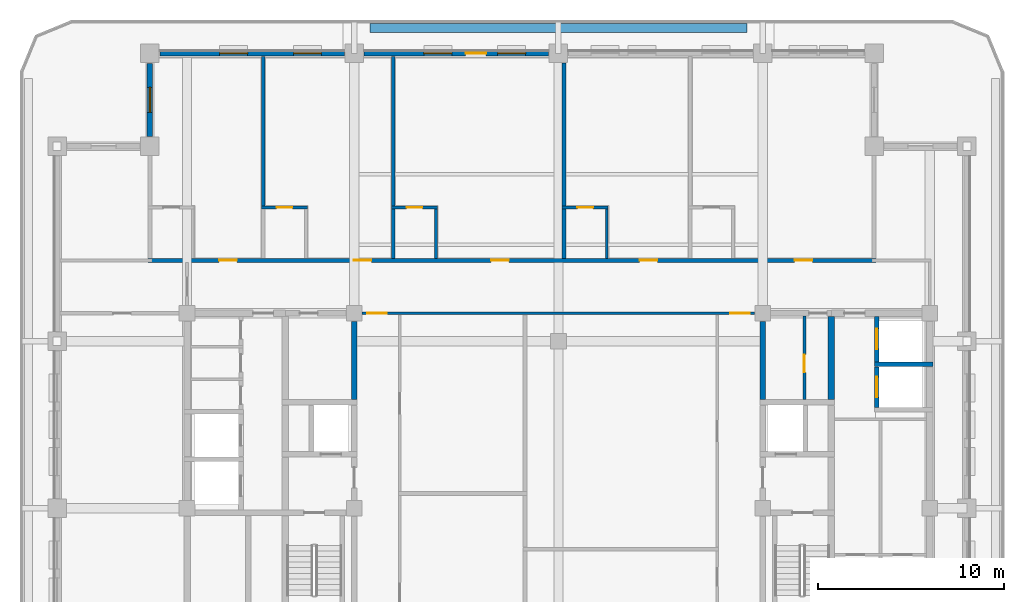
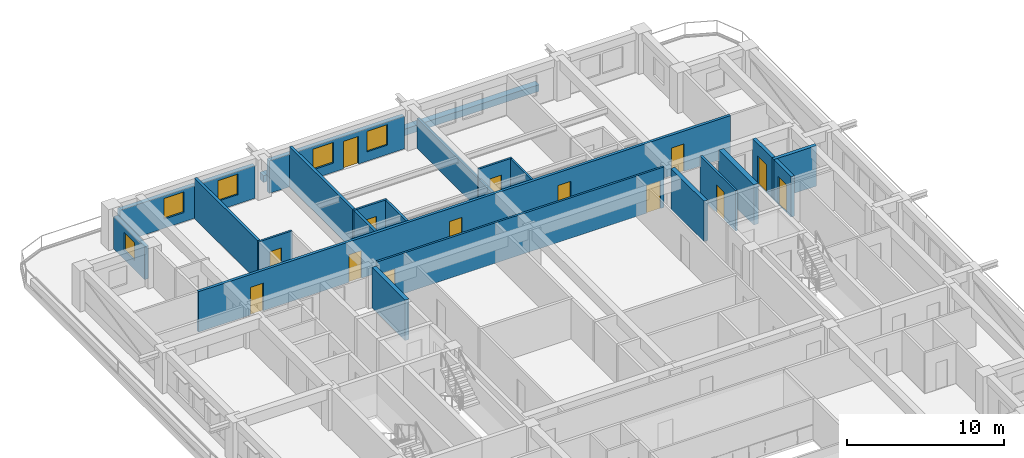
# One storey, part 6 of 14: 23 walls, 14 doors, 5 windows, 19 openings.
"""IFC4 building model written with IfcOpenShell, lengths in metres."""

from ifc_helpers import new_model, si_unit, direction, frame, frame_2d, origin, place, context, subcontext, project, spatial, rectangle, extrude, material, layer, layer_set, type_object, element, fill, save


model = new_model("IFC4")

# Units and contexts
model_context = context("Model", 3, precision=1e-05, world=origin(), true_north=direction((0.0, 1.0)))
body_context = subcontext(model_context, "Body", "Model", "MODEL_VIEW")
ifc_project = project(units=[si_unit("LENGTHUNIT", "METRE"), si_unit("AREAUNIT", "SQUARE_METRE"), si_unit("VOLUMEUNIT", "CUBIC_METRE"), si_unit("PLANEANGLEUNIT", "RADIAN"), si_unit("MASSUNIT", "GRAM", prefix="KILO")], contexts=[model_context])

# Site, building, storey
site_placement = place(None, origin())
site = spatial("IfcSite", under=ifc_project, at=site_placement, CompositionType="ELEMENT")
building_placement = place(site_placement, origin())
building = spatial("IfcBuilding", under=site, at=building_placement, Name="Zulmaris Gate Convention Tower", CompositionType="ELEMENT")
storey_placement = place(building_placement, frame((0.0, 0.0, 215.260009765625)))
storey = spatial("IfcBuildingStorey", under=building, at=storey_placement, Name="L56", CompositionType="ELEMENT", Elevation=215.260009765625)

# Wall
ifc_material_1 = material(Name="Concrete C50/60", Category="concrete")
ifc_layer_1 = layer(ifc_material_1, 0.25, Name="Concrete C50/60")
ifc_layer_set_1 = layer_set([ifc_layer_1], Name="Concrete C50/60")
wall_type_1 = type_object("IfcWallType", Name="CORE-250", PredefinedType="SOLIDWALL", material=ifc_layer_set_1)
wall_1_placement = place(storey_placement, frame((17.02490234375, 7.75, 0.0), z_axis=(0.0, 0.0, 1.0), x_axis=(1.0, 0.0, 0.0)))
element("IfcWall", 1, at=wall_1_placement, inside=storey, type_object=wall_type_1, Name="WL-L56-014", PredefinedType="SOLIDWALL", context=body_context, shape_type="SweptSolid", body=[
    extrude(rectangle(XDim=3.150146484375, YDim=0.25, at=frame_2d((1.5751953125, 0.0))), origin(), (0.0, 0.0, 1.0), 3.14990234375),
])

# Wall, opening, door
wall_2_placement = place(storey_placement, frame((17.14990234375, 5.427001953125, 0.0), z_axis=(0.0, 0.0, 1.0), x_axis=(0.0, 1.0, 0.0)))
wall_2 = element("IfcWall", 2, at=wall_2_placement, inside=storey, type_object=wall_type_1, Name="WL-L56-073", PredefinedType="SOLIDWALL", context=body_context, shape_type="SweptSolid", body=[
    extrude(rectangle(XDim=2.196044921875, YDim=0.25, at=frame_2d((1.09814453125, 0.0))), origin(), (0.0, 0.0, 1.0), 3.14990234375),
])
opening_1_placement = place(wall_2_placement, frame((0.548095703125, 0.0, 0.0)))
opening_1 = element("IfcOpeningElement", 3, at=opening_1_placement, cuts=wall_2, Name="Opening D-06", PredefinedType="OPENING", context=body_context, shape_type="SweptSolid", body=[
    extrude(rectangle(XDim=1.10009765625, YDim=2.199951171875, at=frame_2d((0.550048828125, 1.10009765625))), frame((0.0, 0.135009765625, 0.0), z_axis=(0.0, -1.0, 0.0), x_axis=(1.0, 0.0, 0.0)), (0.0, 0.0, 1.0), 0.27001953125),
])
ifc_material_2 = material(Name="Brushed Stainless Steel", Category="steel")
door_type_1 = type_object("IfcDoorType", Name="LD-1100", OperationType="NOTDEFINED", PredefinedType="DOOR", material=ifc_material_2)
door_1_placement = place(opening_1_placement, origin())
door_1 = element("IfcDoor", 4, at=door_1_placement, inside=storey, type_object=door_type_1, Name="L56 Lift Landing Door HP-01 17", OperationType="SLIDING_TO_RIGHT", OverallHeight=2.199951171875, OverallWidth=1.10009765625, PredefinedType="DOOR", context=body_context, shape_type="SweptSolid", body=[
    extrude(rectangle(XDim=1.10009765625, YDim=2.199951171875, at=frame_2d((0.550048828125, 1.10009765625))), frame((0.0, 0.02490234375, 0.0), z_axis=(0.0, -1.0, 0.0), x_axis=(1.0, 0.0, 0.0)), (0.0, 0.0, 1.0), 0.050048828125),
])
fill(opening_1, door_1)

wall_3_placement = place(storey_placement, frame((17.14990234375, 7.876953125, 0.0), z_axis=(0.0, 0.0, 1.0), x_axis=(0.0, 1.0, 0.0)))
wall_3 = element("IfcWall", 5, at=wall_3_placement, inside=storey, type_object=wall_type_1, Name="WL-L56-074", PredefinedType="SOLIDWALL", context=body_context, shape_type="SweptSolid", body=[
    extrude(rectangle(XDim=2.446044921875, YDim=0.25, at=frame_2d((1.22314453125, 0.0))), origin(), (0.0, 0.0, 1.0), 3.14990234375),
])
opening_2_placement = place(wall_3_placement, frame((0.697998046875, 0.0, 0.0)))
opening_2 = element("IfcOpeningElement", 6, at=opening_2_placement, cuts=wall_3, Name="Opening D-06", PredefinedType="OPENING", context=body_context, shape_type="SweptSolid", body=[
    extrude(rectangle(XDim=1.10009765625, YDim=2.199951171875, at=frame_2d((0.550048828125, 1.10009765625))), frame((0.0, 0.135009765625, 0.0), z_axis=(0.0, -1.0, 0.0), x_axis=(1.0, 0.0, 0.0)), (0.0, 0.0, 1.0), 0.27001953125),
])
door_2_placement = place(opening_2_placement, origin())
door_2 = element("IfcDoor", 7, at=door_2_placement, inside=storey, type_object=door_type_1, Name="L56 Lift Landing Door HP-02 18", OperationType="SLIDING_TO_RIGHT", OverallHeight=2.199951171875, OverallWidth=1.10009765625, PredefinedType="DOOR", context=body_context, shape_type="SweptSolid", body=[
    extrude(rectangle(XDim=1.10009765625, YDim=2.199951171875, at=frame_2d((0.550048828125, 1.10009765625))), frame((0.0, 0.02490234375, 0.0), z_axis=(0.0, -1.0, 0.0), x_axis=(1.0, 0.0, 0.0)), (0.0, 0.0, 1.0), 0.050048828125),
])
fill(opening_2, door_2)

# Walls
ifc_layer_2 = layer(ifc_material_1, 0.300048828125, Name="Concrete C50/60")
ifc_layer_set_2 = layer_set([ifc_layer_2], Name="Concrete C50/60")
wall_type_2 = type_object("IfcWallType", Name="CORE-300", PredefinedType="SHEAR", material=ifc_layer_set_2)
for number, where, z_axis, x_axis, name in (
    (8, (-11.0, 5.85205078125, 0.0), (0.0, 0.0, 1.0), (0.0, 1.0, 0.0), "WL-L56-062"),
    (9, (11.0, 5.85205078125, 0.0), (0.0, 0.0, 1.0), (0.0, 1.0, 0.0), "WL-L56-066"),
):
    element("IfcWall", number, at=place(storey_placement, frame(where, z_axis=z_axis, x_axis=x_axis)), inside=storey, type_object=wall_type_2, Name=name, PredefinedType="SHEAR", context=body_context, shape_type="SweptSolid", body=[
        extrude(rectangle(XDim=4.218994140625, YDim=0.300048828125, at=frame_2d((2.109375, 0.0))), origin(), (0.0, 0.0, 1.0), 3.14990234375),
    ])
ifc_material_3 = material(Name="Concrete C55/67", Category="concrete")
ifc_layer_3 = layer(ifc_material_3, 0.35009765625, Name="Concrete C55/67")
ifc_layer_set_3 = layer_set([ifc_layer_3], Name="Concrete C55/67")
wall_type_3 = type_object("IfcWallType", Name="CORE-350", PredefinedType="SHEAR", material=ifc_layer_set_3)
wall_4_placement = place(storey_placement, frame((14.699951171875, 5.85205078125, 0.0), z_axis=(0.0, 0.0, 1.0), x_axis=(0.0, 1.0, 0.0)))
element("IfcWall", 10, at=wall_4_placement, inside=storey, type_object=wall_type_3, Name="WL-L56-072", PredefinedType="SHEAR", context=body_context, shape_type="SweptSolid", body=[
    extrude(rectangle(XDim=4.470947265625, YDim=0.35009765625, at=frame_2d((2.2353515625, 0.0))), origin(), (0.0, 0.0, 1.0), 3.14990234375),
])

# Wall, openings, doors
ifc_material_4 = material(Name="Gypsum Metal Stud Partition")
ifc_layer_4 = layer(ifc_material_4, 0.14990234375, Name="Gypsum Metal Stud Partition")
ifc_layer_set_4 = layer_set([ifc_layer_4], Name="Gypsum Metal Stud Partition")
wall_type_4 = type_object("IfcWallType", Name="PART-150", PredefinedType="PARTITIONING", material=ifc_layer_set_4)
wall_5_placement = place(storey_placement, frame((-10.569091796875, 10.5, 0.0), z_axis=(0.0, 0.0, 1.0), x_axis=(1.0, 0.0, 0.0)))
wall_5 = element("IfcWall", 11, at=wall_5_placement, inside=storey, type_object=wall_type_4, Name="WL-L56-037", PredefinedType="PARTITIONING", context=body_context, shape_type="SweptSolid", body=[
    extrude(rectangle(XDim=21.13818359375, YDim=0.14990234375, at=frame_2d((10.569091796875, 0.0))), origin(), (0.0, 0.0, 1.0), 3.14990234375),
])
opening_3_placement = place(wall_5_placement, frame((0.263916015625, 0.0, 0.0)))
opening_3 = element("IfcOpeningElement", 12, at=opening_3_placement, cuts=wall_5, Name="Opening D-09", PredefinedType="OPENING", context=body_context, shape_type="SweptSolid", body=[
    extrude(rectangle(XDim=1.050048828125, YDim=2.14990234375, at=frame_2d((0.52490234375, 1.074951171875))), frame((0.0, 0.0849609375, 0.0), z_axis=(0.0, -1.0, 0.0), x_axis=(1.0, 0.0, 0.0)), (0.0, 0.0, 1.0), 0.169921875),
])
opening_4_placement = place(wall_5_placement, frame((19.823974609375, 0.0, 0.0)))
opening_4 = element("IfcOpeningElement", 13, at=opening_4_placement, cuts=wall_5, Name="Opening D-09", PredefinedType="OPENING", context=body_context, shape_type="SweptSolid", body=[
    extrude(rectangle(XDim=1.050048828125, YDim=2.14990234375, at=frame_2d((0.52490234375, 1.074951171875))), frame((0.0, 0.0849609375, 0.0), z_axis=(0.0, -1.0, 0.0), x_axis=(1.0, 0.0, 0.0)), (0.0, 0.0, 1.0), 0.169921875),
])
ifc_material_5 = material(Name="Fire-Rated Steel", Category="steel")
door_type_2 = type_object("IfcDoorType", Name="DR-1050-FD", OperationType="NOTDEFINED", PredefinedType="DOOR", material=ifc_material_5)
door_3_placement = place(opening_3_placement, origin())
door_3 = element("IfcDoor", 14, at=door_3_placement, inside=storey, type_object=door_type_2, Name="L56 NW Hotel Loop Door 24", OperationType="SINGLE_SWING_LEFT", OverallHeight=2.14990234375, OverallWidth=1.050048828125, PredefinedType="DOOR", context=body_context, shape_type="SweptSolid", body=[
    extrude(rectangle(XDim=1.050048828125, YDim=2.14990234375, at=frame_2d((0.52490234375, 1.074951171875))), frame((0.0, 0.02490234375, 0.0), z_axis=(0.0, -1.0, 0.0), x_axis=(1.0, 0.0, 0.0)), (0.0, 0.0, 1.0), 0.050048828125),
])
fill(opening_3, door_3)
door_4_placement = place(opening_4_placement, origin())
door_4 = element("IfcDoor", 15, at=door_4_placement, inside=storey, type_object=door_type_2, Name="L56 NE Hotel Loop Door 26", OperationType="SINGLE_SWING_LEFT", OverallHeight=2.14990234375, OverallWidth=1.050048828125, PredefinedType="DOOR", context=body_context, shape_type="SweptSolid", body=[
    extrude(rectangle(XDim=1.050048828125, YDim=2.14990234375, at=frame_2d((0.52490234375, 1.074951171875))), frame((0.0, 0.02490234375, 0.0), z_axis=(0.0, -1.0, 0.0), x_axis=(1.0, 0.0, 0.0)), (0.0, 0.0, 1.0), 0.050048828125),
])
fill(opening_4, door_4)

# Wall, opening, door
wall_6_placement = place(storey_placement, frame((-16.0, 16.199951171875, 0.0), z_axis=(0.0, 0.0, 1.0), x_axis=(1.0, 0.0, 0.0)))
wall_6 = element("IfcWall", 16, at=wall_6_placement, inside=storey, type_object=wall_type_4, Name="WL-L56-042", PredefinedType="PARTITIONING", context=body_context, shape_type="SweptSolid", body=[
    extrude(rectangle(XDim=2.47509765625, YDim=0.14990234375, at=frame_2d((1.237548828125, 0.0))), origin(), (0.0, 0.0, 1.0), 3.14990234375),
])
opening_5_placement = place(wall_6_placement, frame((0.824951171875, 0.0, 0.0)))
opening_5 = element("IfcOpeningElement", 17, at=opening_5_placement, cuts=wall_6, Name="Opening D-17", PredefinedType="OPENING", context=body_context, shape_type="SweptSolid", body=[
    extrude(rectangle(XDim=0.85009765625, YDim=2.10009765625, at=frame_2d((0.425048828125, 1.050048828125))), frame((0.0, 0.0849609375, 0.0), z_axis=(0.0, -1.0, 0.0), x_axis=(1.0, 0.0, 0.0)), (0.0, 0.0, 1.0), 0.169921875),
])
ifc_material_6 = material(Name="Moisture-Resistant Hardwood Timber", Category="wood")
door_type_3 = type_object("IfcDoorType", Name="DR-850", OperationType="NOTDEFINED", PredefinedType="DOOR", material=ifc_material_6)
door_5_placement = place(opening_5_placement, origin())
door_5 = element("IfcDoor", 18, at=door_5_placement, inside=storey, type_object=door_type_3, Name="L56 En-Suite Door 31", OperationType="SINGLE_SWING_RIGHT", OverallHeight=2.10009765625, OverallWidth=0.85009765625, PredefinedType="DOOR", context=body_context, shape_type="SweptSolid", body=[
    extrude(rectangle(XDim=0.85009765625, YDim=2.10009765625, at=frame_2d((0.425048828125, 1.050048828125))), frame((0.0, 0.02490234375, 0.0), z_axis=(0.0, -1.0, 0.0), x_axis=(1.0, 0.0, 0.0)), (0.0, 0.0, 1.0), 0.050048828125),
])
fill(opening_5, door_5)

wall_7_placement = place(storey_placement, frame((-9.0, 16.199951171875, 0.0), z_axis=(0.0, 0.0, 1.0), x_axis=(1.0, 0.0, 0.0)))
wall_7 = element("IfcWall", 19, at=wall_7_placement, inside=storey, type_object=wall_type_4, Name="WL-L56-043", PredefinedType="PARTITIONING", context=body_context, shape_type="SweptSolid", body=[
    extrude(rectangle(XDim=2.47509765625, YDim=0.14990234375, at=frame_2d((1.237548828125, 0.0))), origin(), (0.0, 0.0, 1.0), 3.14990234375),
])
opening_6_placement = place(wall_7_placement, frame((0.824951171875, 0.0, 0.0)))
opening_6 = element("IfcOpeningElement", 20, at=opening_6_placement, cuts=wall_7, Name="Opening D-17", PredefinedType="OPENING", context=body_context, shape_type="SweptSolid", body=[
    extrude(rectangle(XDim=0.85009765625, YDim=2.10009765625, at=frame_2d((0.425048828125, 1.050048828125))), frame((0.0, 0.0849609375, 0.0), z_axis=(0.0, -1.0, 0.0), x_axis=(1.0, 0.0, 0.0)), (0.0, 0.0, 1.0), 0.169921875),
])
door_6_placement = place(opening_6_placement, origin())
door_6 = element("IfcDoor", 21, at=door_6_placement, inside=storey, type_object=door_type_3, Name="L56 En-Suite Door 33", OperationType="SINGLE_SWING_RIGHT", OverallHeight=2.10009765625, OverallWidth=0.85009765625, PredefinedType="DOOR", context=body_context, shape_type="SweptSolid", body=[
    extrude(rectangle(XDim=0.85009765625, YDim=2.10009765625, at=frame_2d((0.425048828125, 1.050048828125))), frame((0.0, 0.02490234375, 0.0), z_axis=(0.0, -1.0, 0.0), x_axis=(1.0, 0.0, 0.0)), (0.0, 0.0, 1.0), 0.050048828125),
])
fill(opening_6, door_6)

wall_8_placement = place(storey_placement, frame((0.199951171875, 16.199951171875, 0.0), z_axis=(0.0, 0.0, 1.0), x_axis=(1.0, 0.0, 0.0)))
wall_8 = element("IfcWall", 22, at=wall_8_placement, inside=storey, type_object=wall_type_4, Name="WL-L56-044", PredefinedType="PARTITIONING", context=body_context, shape_type="SweptSolid", body=[
    extrude(rectangle(XDim=2.47509765625, YDim=0.14990234375, at=frame_2d((1.237548828125, 0.0))), origin(), (0.0, 0.0, 1.0), 3.14990234375),
])
opening_7_placement = place(wall_8_placement, frame((0.824951171875, 0.0, 0.0)))
opening_7 = element("IfcOpeningElement", 23, at=opening_7_placement, cuts=wall_8, Name="Opening D-17", PredefinedType="OPENING", context=body_context, shape_type="SweptSolid", body=[
    extrude(rectangle(XDim=0.85009765625, YDim=2.10009765625, at=frame_2d((0.425048828125, 1.050048828125))), frame((0.0, 0.0849609375, 0.0), z_axis=(0.0, -1.0, 0.0), x_axis=(1.0, 0.0, 0.0)), (0.0, 0.0, 1.0), 0.169921875),
])
door_7_placement = place(opening_7_placement, origin())
door_7 = element("IfcDoor", 24, at=door_7_placement, inside=storey, type_object=door_type_3, Name="L56 En-Suite Door 35", OperationType="SINGLE_SWING_RIGHT", OverallHeight=2.10009765625, OverallWidth=0.85009765625, PredefinedType="DOOR", context=body_context, shape_type="SweptSolid", body=[
    extrude(rectangle(XDim=0.85009765625, YDim=2.10009765625, at=frame_2d((0.425048828125, 1.050048828125))), frame((0.0, 0.02490234375, 0.0), z_axis=(0.0, -1.0, 0.0), x_axis=(1.0, 0.0, 0.0)), (0.0, 0.0, 1.0), 0.050048828125),
])
fill(opening_7, door_7)

# Walls
for number, where, z_axis, x_axis, name in (
    (25, (-6.60009765625, 13.452880859375, 0.0), (0.0, 0.0, 1.0), (0.0, 1.0, 0.0), "WL-L56-095"),
    (26, (2.60009765625, 13.452880859375, 0.0), (0.0, 0.0, 1.0), (0.0, 1.0, 0.0), "WL-L56-106"),
):
    element("IfcWall", number, at=place(storey_placement, frame(where, z_axis=z_axis, x_axis=x_axis)), inside=storey, type_object=wall_type_4, Name=name, PredefinedType="PARTITIONING", context=body_context, shape_type="SweptSolid", body=[
        extrude(rectangle(XDim=2.669189453125, YDim=0.14990234375, at=frame_2d((1.33447265625, 0.0))), origin(), (0.0, 0.0, 1.0), 3.14990234375),
    ])

# Wall, opening, door
wall_9_placement = place(storey_placement, frame((13.25, 5.85302734375, 0.0), z_axis=(0.0, 0.0, 1.0), x_axis=(0.0, 1.0, 0.0)))
wall_9 = element("IfcWall", 27, at=wall_9_placement, inside=storey, type_object=wall_type_4, Name="WL-L56-117", PredefinedType="PARTITIONING", context=body_context, shape_type="SweptSolid", body=[
    extrude(rectangle(XDim=4.493896484375, YDim=0.14990234375, at=frame_2d((2.2470703125, 0.0))), origin(), (0.0, 0.0, 1.0), 3.14990234375),
])
opening_8_placement = place(wall_9_placement, frame((1.471923828125, 0.0, 0.0)))
opening_8 = element("IfcOpeningElement", 28, at=opening_8_placement, cuts=wall_9, Name="Opening D-11", PredefinedType="OPENING", context=body_context, shape_type="SweptSolid", body=[
    extrude(rectangle(XDim=0.949951171875, YDim=2.14990234375, at=frame_2d((0.47509765625, 1.074951171875))), frame((0.0, 0.0849609375, 0.0), z_axis=(0.0, -1.0, 0.0), x_axis=(1.0, 0.0, 0.0)), (0.0, 0.0, 1.0), 0.169921875),
])
ifc_material_7 = material(Name="Fire-Rated Timber", Category="wood")
door_type_4 = type_object("IfcDoorType", Name="DR-950-FD", OperationType="NOTDEFINED", PredefinedType="DOOR", material=ifc_material_7)
door_8_placement = place(opening_8_placement, origin())
door_8 = element("IfcDoor", 29, at=door_8_placement, inside=storey, type_object=door_type_4, Name="L56 Core Service Pantry Door 09", OperationType="SINGLE_SWING_RIGHT", OverallHeight=2.14990234375, OverallWidth=0.949951171875, PredefinedType="DOOR", context=body_context, shape_type="SweptSolid", body=[
    extrude(rectangle(XDim=0.949951171875, YDim=2.14990234375, at=frame_2d((0.47509765625, 1.074951171875))), frame((0.0, 0.02490234375, 0.0), z_axis=(0.0, -1.0, 0.0), x_axis=(1.0, 0.0, 0.0)), (0.0, 0.0, 1.0), 0.050048828125),
])
fill(opening_8, door_8)

# Wall, openings, doors
ifc_material_8 = material(Name="Autoclaved Aerated Concrete Block and Plasterboard", Category="concrete")
ifc_layer_5 = layer(ifc_material_8, 0.199951171875, Name="Autoclaved Aerated Concrete Block and Plasterboard")
ifc_layer_set_5 = layer_set([ifc_layer_5], Name="Autoclaved Aerated Concrete Block and Plasterboard")
wall_type_5 = type_object("IfcWallType", Name="PART-200", PredefinedType="PARTITIONING", material=ifc_layer_set_5)
wall_10_placement = place(storey_placement, frame((-22.10009765625, 13.35009765625, 0.0), z_axis=(0.0, 0.0, 1.0), x_axis=(1.0, 0.0, 0.0)))
wall_10 = element("IfcWall", 30, at=wall_10_placement, inside=storey, type_object=wall_type_5, Name="WL-L56-039", PredefinedType="PARTITIONING", context=body_context, shape_type="SweptSolid", body=[
    extrude(rectangle(XDim=39.2001953125, YDim=0.199951171875, at=frame_2d((19.60009765625, 0.0))), origin(), (0.0, 0.0, 1.0), 3.14990234375),
])
opening_9_placement = place(wall_10_placement, frame((3.824951171875, 0.0, 0.0)))
opening_9 = element("IfcOpeningElement", 31, at=opening_9_placement, cuts=wall_10, Name="Opening D-11", PredefinedType="OPENING", context=body_context, shape_type="SweptSolid", body=[
    extrude(rectangle(XDim=0.949951171875, YDim=2.14990234375, at=frame_2d((0.47509765625, 1.074951171875))), frame((0.0, 0.10986328125, 0.0), z_axis=(0.0, -1.0, 0.0), x_axis=(1.0, 0.0, 0.0)), (0.0, 0.0, 1.0), 0.219970703125),
])
opening_10_placement = place(wall_10_placement, frame((11.074951171875, 0.0, 0.0)))
opening_10 = element("IfcOpeningElement", 32, at=opening_10_placement, cuts=wall_10, Name="Opening D-11", PredefinedType="OPENING", context=body_context, shape_type="SweptSolid", body=[
    extrude(rectangle(XDim=0.949951171875, YDim=2.14990234375, at=frame_2d((0.47509765625, 1.074951171875))), frame((0.0, 0.10986328125, 0.0), z_axis=(0.0, -1.0, 0.0), x_axis=(1.0, 0.0, 0.0)), (0.0, 0.0, 1.0), 0.219970703125),
])
opening_11_placement = place(wall_10_placement, frame((18.47509765625, 0.0, 0.0)))
opening_11 = element("IfcOpeningElement", 33, at=opening_11_placement, cuts=wall_10, Name="Opening D-11", PredefinedType="OPENING", context=body_context, shape_type="SweptSolid", body=[
    extrude(rectangle(XDim=0.949951171875, YDim=2.14990234375, at=frame_2d((0.47509765625, 1.074951171875))), frame((0.0, 0.10986328125, 0.0), z_axis=(0.0, -1.0, 0.0), x_axis=(1.0, 0.0, 0.0)), (0.0, 0.0, 1.0), 0.219970703125),
])
opening_12_placement = place(wall_10_placement, frame((26.47509765625, 0.0, 0.0)))
opening_12 = element("IfcOpeningElement", 34, at=opening_12_placement, cuts=wall_10, Name="Opening D-11", PredefinedType="OPENING", context=body_context, shape_type="SweptSolid", body=[
    extrude(rectangle(XDim=0.949951171875, YDim=2.14990234375, at=frame_2d((0.47509765625, 1.074951171875))), frame((0.0, 0.10986328125, 0.0), z_axis=(0.0, -1.0, 0.0), x_axis=(1.0, 0.0, 0.0)), (0.0, 0.0, 1.0), 0.219970703125),
])
opening_13_placement = place(wall_10_placement, frame((34.824951171875, 0.0, 0.0)))
opening_13 = element("IfcOpeningElement", 35, at=opening_13_placement, cuts=wall_10, Name="Opening D-11", PredefinedType="OPENING", context=body_context, shape_type="SweptSolid", body=[
    extrude(rectangle(XDim=0.949951171875, YDim=2.14990234375, at=frame_2d((0.47509765625, 1.074951171875))), frame((0.0, 0.10986328125, 0.0), z_axis=(0.0, -1.0, 0.0), x_axis=(1.0, 0.0, 0.0)), (0.0, 0.0, 1.0), 0.219970703125),
])
door_9_placement = place(opening_9_placement, origin())
door_9 = element("IfcDoor", 36, at=door_9_placement, inside=storey, type_object=door_type_4, Name="L56 Hotel Diplomatic Suite Door 28", OperationType="SINGLE_SWING_LEFT", OverallHeight=2.14990234375, OverallWidth=0.949951171875, PredefinedType="DOOR", context=body_context, shape_type="SweptSolid", body=[
    extrude(rectangle(XDim=0.949951171875, YDim=2.14990234375, at=frame_2d((0.47509765625, 1.074951171875))), frame((0.0, 0.02490234375, 0.0), z_axis=(0.0, -1.0, 0.0), x_axis=(1.0, 0.0, 0.0)), (0.0, 0.0, 1.0), 0.050048828125),
])
fill(opening_9, door_9)
door_10_placement = place(opening_10_placement, origin())
door_10 = element("IfcDoor", 37, at=door_10_placement, inside=storey, type_object=door_type_4, Name="L56 Hotel Diplomatic Suite Door 30", OperationType="SINGLE_SWING_LEFT", OverallHeight=2.14990234375, OverallWidth=0.949951171875, PredefinedType="DOOR", context=body_context, shape_type="SweptSolid", body=[
    extrude(rectangle(XDim=0.949951171875, YDim=2.14990234375, at=frame_2d((0.47509765625, 1.074951171875))), frame((0.0, 0.02490234375, 0.0), z_axis=(0.0, -1.0, 0.0), x_axis=(1.0, 0.0, 0.0)), (0.0, 0.0, 1.0), 0.050048828125),
])
fill(opening_10, door_10)
door_11_placement = place(opening_11_placement, origin())
door_11 = element("IfcDoor", 38, at=door_11_placement, inside=storey, type_object=door_type_4, Name="L56 Hotel Diplomatic Suite Door 32", OperationType="SINGLE_SWING_LEFT", OverallHeight=2.14990234375, OverallWidth=0.949951171875, PredefinedType="DOOR", context=body_context, shape_type="SweptSolid", body=[
    extrude(rectangle(XDim=0.949951171875, YDim=2.14990234375, at=frame_2d((0.47509765625, 1.074951171875))), frame((0.0, 0.02490234375, 0.0), z_axis=(0.0, -1.0, 0.0), x_axis=(1.0, 0.0, 0.0)), (0.0, 0.0, 1.0), 0.050048828125),
])
fill(opening_11, door_11)
door_12_placement = place(opening_12_placement, origin())
door_12 = element("IfcDoor", 39, at=door_12_placement, inside=storey, type_object=door_type_4, Name="L56 Hotel Diplomatic Suite Door 34", OperationType="SINGLE_SWING_LEFT", OverallHeight=2.14990234375, OverallWidth=0.949951171875, PredefinedType="DOOR", context=body_context, shape_type="SweptSolid", body=[
    extrude(rectangle(XDim=0.949951171875, YDim=2.14990234375, at=frame_2d((0.47509765625, 1.074951171875))), frame((0.0, 0.02490234375, 0.0), z_axis=(0.0, -1.0, 0.0), x_axis=(1.0, 0.0, 0.0)), (0.0, 0.0, 1.0), 0.050048828125),
])
fill(opening_12, door_12)
door_13_placement = place(opening_13_placement, origin())
door_13 = element("IfcDoor", 40, at=door_13_placement, inside=storey, type_object=door_type_4, Name="L56 Hotel Diplomatic Suite Door 36", OperationType="SINGLE_SWING_LEFT", OverallHeight=2.14990234375, OverallWidth=0.949951171875, PredefinedType="DOOR", context=body_context, shape_type="SweptSolid", body=[
    extrude(rectangle(XDim=0.949951171875, YDim=2.14990234375, at=frame_2d((0.47509765625, 1.074951171875))), frame((0.0, 0.02490234375, 0.0), z_axis=(0.0, -1.0, 0.0), x_axis=(1.0, 0.0, 0.0)), (0.0, 0.0, 1.0), 0.050048828125),
])
fill(opening_13, door_13)

# Walls
wall_11_placement = place(storey_placement, frame((-15.89990234375, 16.278076171875, 0.0), z_axis=(0.0, 0.0, 1.0), x_axis=(0.0, 1.0, 0.0)))
element("IfcWall", 41, at=wall_11_placement, inside=storey, type_object=wall_type_5, Name="WL-L56-088", PredefinedType="PARTITIONING", context=body_context, shape_type="SweptSolid", body=[
    extrude(rectangle(XDim=8.056884765625, YDim=0.199951171875, at=frame_2d((4.0283203125, 0.0))), origin(), (0.0, 0.0, 1.0), 3.14990234375),
])
wall_12_placement = place(storey_placement, frame((-8.89990234375, 13.452880859375, 0.0), z_axis=(0.0, 0.0, 1.0), x_axis=(0.0, 1.0, 0.0)))
element("IfcWall", 42, at=wall_12_placement, inside=storey, type_object=wall_type_5, Name="WL-L56-090", PredefinedType="PARTITIONING", context=body_context, shape_type="SweptSolid", body=[
    extrude(rectangle(XDim=2.669189453125, YDim=0.199951171875, at=frame_2d((1.33447265625, 0.0))), origin(), (0.0, 0.0, 1.0), 3.14990234375),
])
wall_13_placement = place(storey_placement, frame((-8.89990234375, 16.278076171875, 0.0), z_axis=(0.0, 0.0, 1.0), x_axis=(0.0, 1.0, 0.0)))
element("IfcWall", 43, at=wall_13_placement, inside=storey, type_object=wall_type_5, Name="WL-L56-091", PredefinedType="PARTITIONING", context=body_context, shape_type="SweptSolid", body=[
    extrude(rectangle(XDim=8.056884765625, YDim=0.199951171875, at=frame_2d((4.0283203125, 0.0))), origin(), (0.0, 0.0, 1.0), 3.14990234375),
])
wall_14_placement = place(storey_placement, frame((0.300048828125, 13.452880859375, 0.0), z_axis=(0.0, 0.0, 1.0), x_axis=(0.0, 1.0, 0.0)))
element("IfcWall", 44, at=wall_14_placement, inside=storey, type_object=wall_type_5, Name="WL-L56-104", PredefinedType="PARTITIONING", context=body_context, shape_type="SweptSolid", body=[
    extrude(rectangle(XDim=2.669189453125, YDim=0.199951171875, at=frame_2d((1.33447265625, 0.0))), origin(), (0.0, 0.0, 1.0), 2.341796875),
])
wall_15_placement = place(storey_placement, frame((0.300048828125, 16.278076171875, 0.0), z_axis=(0.0, 0.0, 1.0), x_axis=(0.0, 1.0, 0.0)))
element("IfcWall", 45, at=wall_15_placement, inside=storey, type_object=wall_type_5, Name="WL-L56-105", PredefinedType="PARTITIONING", context=body_context, shape_type="SweptSolid", body=[
    extrude(rectangle(XDim=7.7158203125, YDim=0.199951171875, at=frame_2d((3.85791015625, 0.0))), origin(), (0.0, 0.0, 1.0), 2.341796875),
])
ifc_material_9 = material(Name="Botanical Green Glazed Precast Concrete C40/50", Category="concrete")
ifc_layer_6 = layer(ifc_material_9, 0.419921875, Name="Botanical Green Glazed Precast Concrete C40/50")
ifc_layer_set_6 = layer_set([ifc_layer_6], Name="Botanical Green Glazed Precast Concrete C40/50")
wall_type_6 = type_object("IfcWallType", Name="PLANTER-CURB-200", PredefinedType="PARAPET", material=ifc_layer_set_6)
wall_16_placement = place(storey_placement, frame((-10.14990234375, 25.8798828125, -0.0400390625), z_axis=(0.0, 0.0, 1.0), x_axis=(1.0, 0.0, 0.0)))
element("IfcWall", 46, at=wall_16_placement, inside=storey, type_object=wall_type_6, Name="L56 Full-Length Balcony Tree Planter Trough", PredefinedType="PARAPET", context=body_context, shape_type="SweptSolid", body=[
    extrude(rectangle(XDim=20.2998046875, YDim=0.47998046875, at=frame_2d((10.14990234375, 0.0))), origin(), (0.0, 0.0, 1.0), 0.52001953125),
])

# Wall, opening, window
ifc_material_10 = material(Name="Precast concrete C40/50", Category="concrete")
ifc_layer_7 = layer(ifc_material_10, 0.300048828125, Name="Precast concrete C40/50")
ifc_layer_set_7 = layer_set([ifc_layer_7], Name="Precast concrete C40/50")
wall_type_7 = type_object("IfcWallType", Name="PRECAST-PIER-300", PredefinedType="STANDARD", material=ifc_layer_set_7)
wall_17_placement = place(storey_placement, frame((-22.0, 23.969970703125, 0.0), z_axis=(0.0, 0.0, 1.0), x_axis=(0.0, -1.0, 0.0)))
wall_17 = element("IfcWall", 47, at=wall_17_placement, inside=storey, type_object=wall_type_7, Name="EW-L56-NOTCH-NW1_0", PredefinedType="STANDARD", context=body_context, shape_type="SweptSolid", body=[
    extrude(rectangle(XDim=3.93994140625, YDim=0.300048828125, at=frame_2d((1.969970703125, 0.0))), origin(), (0.0, 0.0, 1.0), 2.5419921875),
])
opening_14_placement = place(wall_17_placement, frame((1.294921875, 0.0, 0.679931640625)))
opening_14 = element("IfcOpeningElement", 48, at=opening_14_placement, cuts=wall_17, Name="Opening W-10", PredefinedType="OPENING", context=body_context, shape_type="SweptSolid", body=[
    extrude(rectangle(XDim=1.35009765625, YDim=1.419921875, at=frame_2d((0.675048828125, 0.7099609375))), frame((0.0, 0.16015625, 0.0), z_axis=(0.0, -1.0, 0.0), x_axis=(1.0, 0.0, 0.0)), (0.0, 0.0, 1.0), 0.320068359375),
])
ifc_material_11 = material(Name="Low-E Laminated Double Glazing in Aluminium Frame", Category="aluminium")
window_type_1 = type_object("IfcWindowType", Name="WIN-1350x2000", PartitioningType="SINGLE_PANEL", PredefinedType="WINDOW", material=ifc_material_11)
window_1_placement = place(opening_14_placement, origin())
window_1 = element("IfcWindow", 49, at=window_1_placement, inside=storey, type_object=window_type_1, Name="WN-EW-L56-NOTCH-NW1_0", OverallHeight=1.419921875, OverallWidth=1.35009765625, PartitioningType="SINGLE_PANEL", PredefinedType="WINDOW", context=body_context, shape_type="SweptSolid", body=[
    extrude(rectangle(XDim=1.35009765625, YDim=1.419921875, at=frame_2d((0.675048828125, 0.7099609375))), frame((0.0, 0.030029296875, 0.0), z_axis=(0.0, -1.0, 0.0), x_axis=(1.0, 0.0, 0.0)), (0.0, 0.0, 1.0), 0.06005859375),
])
fill(opening_14, window_1)

# Wall, openings, windows
wall_18_placement = place(storey_placement, frame((-11.530029296875, 24.5, 0.0), z_axis=(0.0, 0.0, 1.0), x_axis=(-1.0, 0.0, 0.0)))
wall_18 = element("IfcWall", 50, at=wall_18_placement, inside=storey, type_object=wall_type_7, Name="EW-L56-N-0_0", PredefinedType="STANDARD", context=body_context, shape_type="SweptSolid", body=[
    extrude(rectangle(XDim=9.93994140625, YDim=0.300048828125, at=frame_2d((4.969970703125, 0.0))), origin(), (0.0, 0.0, 1.0), 2.5419921875),
])
opening_15_placement = place(wall_18_placement, frame((1.238037109375, 0.0, 0.719970703125)))
opening_15 = element("IfcOpeningElement", 51, at=opening_15_placement, cuts=wall_18, Name="Opening W-03", PredefinedType="OPENING", context=body_context, shape_type="SweptSolid", body=[
    extrude(rectangle(XDim=1.5, YDim=1.60009765625, at=frame_2d((0.75, 0.800048828125))), frame((0.0, 0.16015625, 0.0), z_axis=(0.0, -1.0, 0.0), x_axis=(1.0, 0.0, 0.0)), (0.0, 0.0, 1.0), 0.320068359375),
])
opening_16_placement = place(wall_18_placement, frame((5.214111328125, 0.0, 0.719970703125)))
opening_16 = element("IfcOpeningElement", 52, at=opening_16_placement, cuts=wall_18, Name="Opening W-03", PredefinedType="OPENING", context=body_context, shape_type="SweptSolid", body=[
    extrude(rectangle(XDim=1.5, YDim=1.60009765625, at=frame_2d((0.75, 0.800048828125))), frame((0.0, 0.16015625, 0.0), z_axis=(0.0, -1.0, 0.0), x_axis=(1.0, 0.0, 0.0)), (0.0, 0.0, 1.0), 0.320068359375),
])
window_type_2 = type_object("IfcWindowType", Name="WIN-1500x2100", PartitioningType="SINGLE_PANEL", PredefinedType="WINDOW", material=ifc_material_11)
window_2_placement = place(opening_15_placement, origin())
window_2 = element("IfcWindow", 53, at=window_2_placement, inside=storey, type_object=window_type_2, Name="WN-EW-L56-N-0_0-1", OverallHeight=1.60009765625, OverallWidth=1.5, PartitioningType="SINGLE_PANEL", PredefinedType="WINDOW", context=body_context, shape_type="SweptSolid", body=[
    extrude(rectangle(XDim=1.5, YDim=1.60009765625, at=frame_2d((0.75, 0.800048828125))), frame((0.0, 0.030029296875, 0.0), z_axis=(0.0, -1.0, 0.0), x_axis=(1.0, 0.0, 0.0)), (0.0, 0.0, 1.0), 0.06005859375),
])
fill(opening_15, window_2)
window_3_placement = place(opening_16_placement, origin())
window_3 = element("IfcWindow", 54, at=window_3_placement, inside=storey, type_object=window_type_2, Name="WN-EW-L56-N-0_0-3", OverallHeight=1.60009765625, OverallWidth=1.5, PartitioningType="SINGLE_PANEL", PredefinedType="WINDOW", context=body_context, shape_type="SweptSolid", body=[
    extrude(rectangle(XDim=1.5, YDim=1.60009765625, at=frame_2d((0.75, 0.800048828125))), frame((0.0, 0.030029296875, 0.0), z_axis=(0.0, -1.0, 0.0), x_axis=(1.0, 0.0, 0.0)), (0.0, 0.0, 1.0), 0.06005859375),
])
fill(opening_16, window_3)

# Wall, openings, door, windows
wall_19_placement = place(storey_placement, frame((-0.530029296875, 24.5, 0.0), z_axis=(0.0, 0.0, 1.0), x_axis=(-1.0, 0.0, 0.0)))
wall_19 = element("IfcWall", 55, at=wall_19_placement, inside=storey, type_object=wall_type_7, Name="EW-L56-N-1_0", PredefinedType="STANDARD", context=body_context, shape_type="SweptSolid", body=[
    extrude(rectangle(XDim=9.93994140625, YDim=0.300048828125, at=frame_2d((4.969970703125, 0.0))), origin(), (0.0, 0.0, 1.0), 2.5419921875),
])
opening_17_placement = place(wall_19_placement, frame((3.364990234375, 0.0, 0.0)))
opening_17 = element("IfcOpeningElement", 56, at=opening_17_placement, cuts=wall_19, Name="Opening D-04", PredefinedType="OPENING", context=body_context, shape_type="SweptSolid", body=[
    extrude(rectangle(XDim=1.10009765625, YDim=2.14990234375, at=frame_2d((0.550048828125, 1.074951171875))), frame((0.0, 0.16015625, 0.0), z_axis=(0.0, -1.0, 0.0), x_axis=(1.0, 0.0, 0.0)), (0.0, 0.0, 1.0), 0.320068359375),
])
opening_18_placement = place(wall_19_placement, frame((1.238037109375, 0.0, 0.719970703125)))
opening_18 = element("IfcOpeningElement", 57, at=opening_18_placement, cuts=wall_19, Name="Opening W-03", PredefinedType="OPENING", context=body_context, shape_type="SweptSolid", body=[
    extrude(rectangle(XDim=1.5, YDim=1.60009765625, at=frame_2d((0.75, 0.800048828125))), frame((0.0, 0.16015625, 0.0), z_axis=(0.0, -1.0, 0.0), x_axis=(1.0, 0.0, 0.0)), (0.0, 0.0, 1.0), 0.320068359375),
])
opening_19_placement = place(wall_19_placement, frame((5.214111328125, 0.0, 0.719970703125)))
opening_19 = element("IfcOpeningElement", 58, at=opening_19_placement, cuts=wall_19, Name="Opening W-03", PredefinedType="OPENING", context=body_context, shape_type="SweptSolid", body=[
    extrude(rectangle(XDim=1.5, YDim=1.60009765625, at=frame_2d((0.75, 0.800048828125))), frame((0.0, 0.16015625, 0.0), z_axis=(0.0, -1.0, 0.0), x_axis=(1.0, 0.0, 0.0)), (0.0, 0.0, 1.0), 0.320068359375),
])
ifc_material_12 = material(Name="Anodised Aluminium and Laminated Glass", Category="aluminium")
door_type_5 = type_object("IfcDoorType", Name="ED-1100", OperationType="SINGLE_SWING_RIGHT", PredefinedType="DOOR", material=ifc_material_12)
door_14_placement = place(opening_17_placement, origin())
door_14 = element("IfcDoor", 59, at=door_14_placement, inside=storey, type_object=door_type_5, Name="L56 N Planted Terrace Door", OperationType="SINGLE_SWING_LEFT", OverallHeight=2.14990234375, OverallWidth=1.10009765625, PredefinedType="DOOR", context=body_context, shape_type="SweptSolid", body=[
    extrude(rectangle(XDim=1.10009765625, YDim=2.14990234375, at=frame_2d((0.550048828125, 1.074951171875))), frame((0.0, 0.02490234375, 0.0), z_axis=(0.0, -1.0, 0.0), x_axis=(1.0, 0.0, 0.0)), (0.0, 0.0, 1.0), 0.050048828125),
])
fill(opening_17, door_14)
window_4_placement = place(opening_18_placement, origin())
window_4 = element("IfcWindow", 60, at=window_4_placement, inside=storey, type_object=window_type_2, Name="WN-EW-L56-N-1_0-1", OverallHeight=1.60009765625, OverallWidth=1.5, PartitioningType="SINGLE_PANEL", PredefinedType="WINDOW", context=body_context, shape_type="SweptSolid", body=[
    extrude(rectangle(XDim=1.5, YDim=1.60009765625, at=frame_2d((0.75, 0.800048828125))), frame((0.0, 0.030029296875, 0.0), z_axis=(0.0, -1.0, 0.0), x_axis=(1.0, 0.0, 0.0)), (0.0, 0.0, 1.0), 0.06005859375),
])
fill(opening_18, window_4)
window_5_placement = place(opening_19_placement, origin())
window_5 = element("IfcWindow", 61, at=window_5_placement, inside=storey, type_object=window_type_2, Name="WN-EW-L56-N-1_0-3", OverallHeight=1.60009765625, OverallWidth=1.5, PartitioningType="SINGLE_PANEL", PredefinedType="WINDOW", context=body_context, shape_type="SweptSolid", body=[
    extrude(rectangle(XDim=1.5, YDim=1.60009765625, at=frame_2d((0.75, 0.800048828125))), frame((0.0, 0.030029296875, 0.0), z_axis=(0.0, -1.0, 0.0), x_axis=(1.0, 0.0, 0.0)), (0.0, 0.0, 1.0), 0.06005859375),
])
fill(opening_19, window_5)

save(model, "model.ifc")
